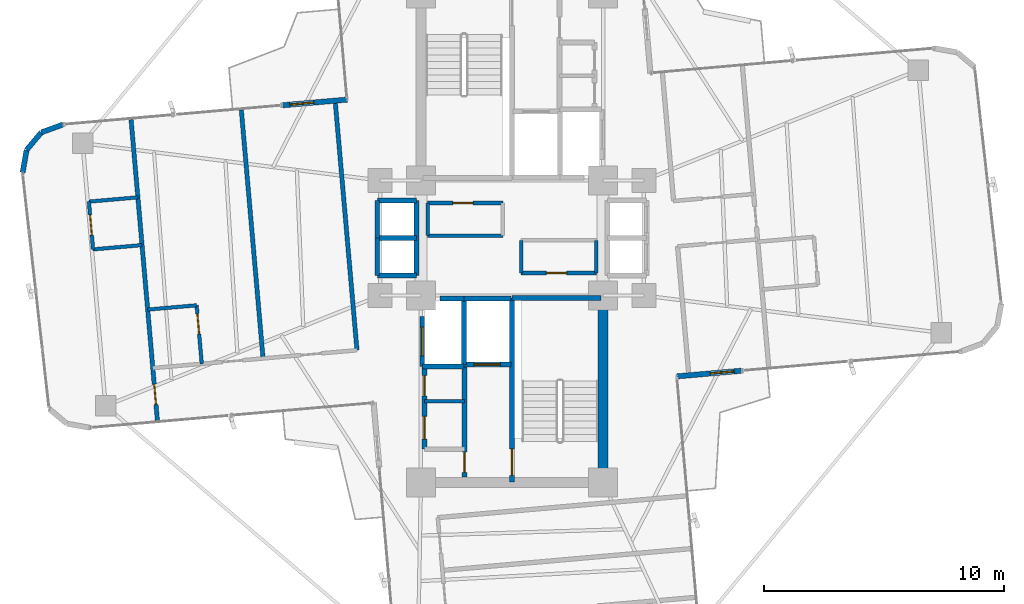
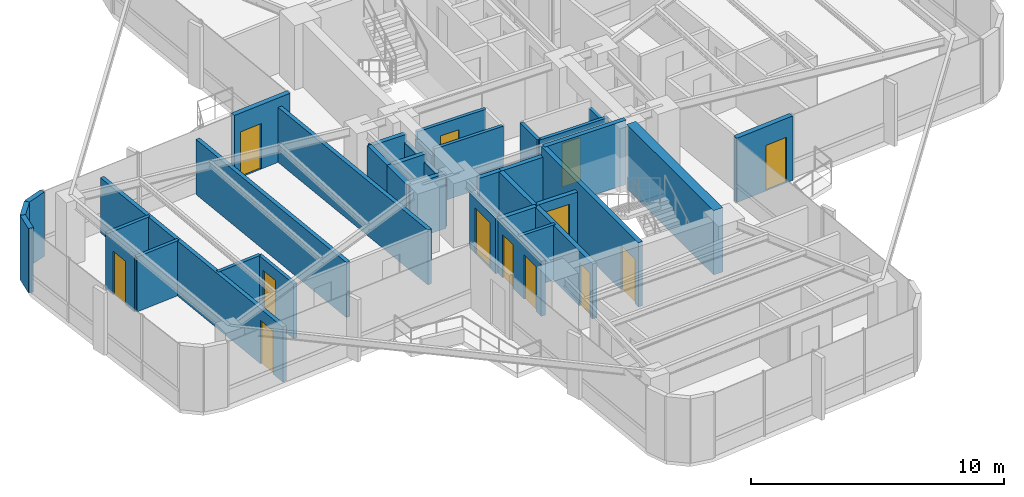
# One storey, part 21 of 24: 37 walls, 13 doors, 13 openings.
"""IFC4 building model written with IfcOpenShell, lengths in metres."""

from ifc_helpers import new_model, si_unit, direction, frame, frame_2d, origin, origin_2d, place, context, subcontext, project, spatial, rectangle, extrude, source, transform, mapped, material, layer, layer_set, type_object, element, fill, save


model = new_model("IFC4")

# Units and contexts
model_context = context("Model", 3, precision=1e-05, world=origin(), true_north=direction((0.0, 1.0)))
body_context = subcontext(model_context, "Body", "Model", "MODEL_VIEW")
ifc_project = project(units=[si_unit("LENGTHUNIT", "METRE"), si_unit("AREAUNIT", "SQUARE_METRE"), si_unit("VOLUMEUNIT", "CUBIC_METRE"), si_unit("PLANEANGLEUNIT", "RADIAN"), si_unit("MASSUNIT", "GRAM", prefix="KILO")], contexts=[model_context])

# Site, building, storey
site_placement = place(None, origin())
site = spatial("IfcSite", under=ifc_project, at=site_placement, CompositionType="ELEMENT")
building_placement = place(site_placement, origin())
building = spatial("IfcBuilding", under=site, at=building_placement, Name="Sahyath Konkavel Grand Hotel", CompositionType="ELEMENT")
storey_placement = place(building_placement, frame((0.0, 0.0, 195.300048828125)))
storey = spatial("IfcBuildingStorey", under=building, at=storey_placement, Name="L54", CompositionType="ELEMENT", Elevation=195.300048828125)

# Wall
ifc_material_1 = material(Name="Concrete C50/60", Category="concrete")
ifc_layer_1 = layer(ifc_material_1, 0.419921875)
ifc_layer_set_1 = layer_set([ifc_layer_1], Name="Concrete C50/60")
wall_type_1 = type_object("IfcWallType", Name="CWALL-420", PredefinedType="SHEAR", material=ifc_layer_set_1)
wall_1_placement = place(storey_placement, frame((3.800048828125, -9.75, 0.0), z_axis=(0.0, 0.0, 1.0), x_axis=(0.0, 1.0, 0.0)))
element("IfcWall", 1, at=wall_1_placement, inside=storey, type_object=wall_type_1, Name="L54 South Core Shear Wall E", PredefinedType="SHEAR", context=body_context, shape_type="SweptSolid", body=[
    extrude(rectangle(XDim=6.89990234375, YDim=0.419921875, at=frame_2d((3.449951171875, 0.0))), origin(), (0.0, 0.0, 1.0), 3.10986328125),
])

# Wall, opening, door
ifc_material_2 = material(Name="Warm Buff Sandstone Insulated Concrete C40/50", Category="masonry")
ifc_layer_2 = layer(ifc_material_2, 0.219970703125)
ifc_layer_set_2 = layer_set([ifc_layer_2], Name="Warm Buff Sandstone Insulated Concrete C40/50")
wall_type_2 = type_object("IfcWallType", Name="WLL-BALC-THRESH", PredefinedType="STANDARD", material=ifc_layer_set_2)
wall_2_placement = place(storey_placement, frame((6.87939453125, -5.7724609375, 0.0), z_axis=(0.0, 0.0, 1.0), x_axis=(0.996193619346, 0.087168071984, 0.0)))
wall_2 = element("IfcWall", 2, at=wall_2_placement, inside=storey, type_object=wall_type_2, Name="L54 Winter-Garden Threshold Wall 0", PredefinedType="STANDARD", context=body_context, shape_type="SweptSolid", body=[
    extrude(rectangle(XDim=2.699951171875, YDim=0.219970703125, at=frame_2d((1.35009765625, 0.0))), origin(), (0.0, 0.0, 1.0), 3.10986328125),
])
opening_1_placement = place(wall_2_placement, frame((1.39990234375, 0.0, 0.0)))
opening_1 = element("IfcOpeningElement", 3, at=opening_1_placement, cuts=wall_2, Name="Opening D-TR1", PredefinedType="OPENING", context=body_context, shape_type="SweptSolid", body=[
    extrude(rectangle(XDim=1.0, YDim=2.199951171875, at=frame_2d((0.5, 1.10009765625))), frame((0.0, 0.1201171875, 0.0), z_axis=(0.0, -1.0, 0.0), x_axis=(1.0, 0.0, 0.0)), (0.0, 0.0, 1.0), 0.239990234375),
])
ifc_material_3 = material(Name="Anodised Bronze Aluminium & Low-E Glazing", Category="aluminium")
door_type_1 = type_object("IfcDoorType", Name="DR-TERRACE-1000", OperationType="NOTDEFINED", PredefinedType="DOOR", material=ifc_material_3)
shared_shape_1 = source(origin(), body_context, "Body", "SweptSolid", [
    extrude(rectangle(XDim=1.0, YDim=0.050048828125, at=origin_2d()), origin(), (0.0, 0.0, 1.0), 2.199951171875),
])
door_1_placement = place(opening_1_placement, frame((0.5, 0.0, 0.0)))
door_1 = element("IfcDoor", 4, at=door_1_placement, inside=storey, type_object=door_type_1, Name="L54 Winter-Garden Terrace Door 0", OperationType="SINGLE_SWING_LEFT", OverallHeight=2.199951171875, OverallWidth=1.0, PredefinedType="DOOR", context=body_context, shape_type="MappedRepresentation", body=[
    mapped(shared_shape_1, transform((0.0, 0.0, 0.0), scale=1.0)),
])
fill(opening_1, door_1)

wall_3_placement = place(storey_placement, frame((-6.87939453125, 5.7724609375, 0.0), z_axis=(0.0, 0.0, 1.0), x_axis=(-0.996193619346, -0.087168071984, 0.0)))
wall_3 = element("IfcWall", 5, at=wall_3_placement, inside=storey, type_object=wall_type_2, Name="L54 Winter-Garden Threshold Wall 16", PredefinedType="STANDARD", context=body_context, shape_type="SweptSolid", body=[
    extrude(rectangle(XDim=2.699951171875, YDim=0.219970703125, at=frame_2d((1.35009765625, 0.0))), origin(), (0.0, 0.0, 1.0), 3.10986328125),
])
opening_2_placement = place(wall_3_placement, frame((1.39990234375, 0.0, 0.0)))
opening_2 = element("IfcOpeningElement", 6, at=opening_2_placement, cuts=wall_3, Name="Opening D-TR1", PredefinedType="OPENING", context=body_context, shape_type="SweptSolid", body=[
    extrude(rectangle(XDim=1.0, YDim=2.199951171875, at=frame_2d((0.5, 1.10009765625))), frame((0.0, 0.1201171875, 0.0), z_axis=(0.0, -1.0, 0.0), x_axis=(1.0, 0.0, 0.0)), (0.0, 0.0, 1.0), 0.239990234375),
])
door_2_placement = place(opening_2_placement, frame((0.5, 0.0, 0.0)))
door_2 = element("IfcDoor", 7, at=door_2_placement, inside=storey, type_object=door_type_1, Name="L54 Winter-Garden Terrace Door 16", OperationType="SINGLE_SWING_LEFT", OverallHeight=2.199951171875, OverallWidth=1.0, PredefinedType="DOOR", context=body_context, shape_type="MappedRepresentation", body=[
    mapped(shared_shape_1, transform((0.0, 0.0, 0.0), scale=1.0)),
])
fill(opening_2, door_2)

# Walls
wall_4_placement = place(storey_placement, frame((-18.73388671875, 4.735107421875, 0.0), z_axis=(0.0, 0.0, 1.0), x_axis=(-0.939741306239, -0.34188635151, 0.0)))
element("IfcWall", 8, at=wall_4_placement, inside=storey, type_object=wall_type_2, Name="L54 Rounded Corner Sandstone Pier 17", PredefinedType="STANDARD", context=body_context, shape_type="SweptSolid", body=[
    extrude(rectangle(XDim=0.95751953125, YDim=0.219970703125, at=frame_2d((0.478759765625, 0.0))), origin(), (0.0, 0.0, 1.0), 3.10986328125),
])
for number, where, z_axis, x_axis, name in (
    (9, (-19.6337890625, 4.40771484375, 0.0), (0.0, 0.0, 1.0), (-0.642863236823, -0.765980978054, 0.0), "L54 Rounded Corner Sandstone Pier 18"),
    (10, (-20.24951171875, 3.674072265625, 0.0), (0.0, 0.0, 1.0), (-0.173610811841, -0.984814340885, 0.0), "L54 Rounded Corner Sandstone Pier 19"),
):
    element("IfcWall", number, at=place(storey_placement, frame(where, z_axis=z_axis, x_axis=x_axis)), inside=storey, type_object=wall_type_2, Name=name, PredefinedType="STANDARD", context=body_context, shape_type="SweptSolid", body=[
        extrude(rectangle(XDim=0.957763671875, YDim=0.219970703125, at=frame_2d((0.47900390625, 0.0))), origin(), (0.0, 0.0, 1.0), 3.10986328125),
    ])

# Wall, opening, door
ifc_material_4 = material(Name="Concrete C40/50", Category="concrete")
ifc_layer_3 = layer(ifc_material_4, 0.199951171875)
ifc_layer_set_3 = layer_set([ifc_layer_3], Name="Concrete C40/50")
wall_type_3 = type_object("IfcWallType", Name="WLL-CORE-200", PredefinedType="SOLIDWALL", material=ifc_layer_set_3)
wall_5_placement = place(storey_placement, frame((0.0, -10.179931640625, 0.0), z_axis=(0.0, 0.0, 1.0), x_axis=(0.0, 1.0, 0.0)))
wall_5 = element("IfcWall", 11, at=wall_5_placement, inside=storey, type_object=wall_type_3, Name="L54 Stair ST-2 Shaft Wall W", PredefinedType="SOLIDWALL", context=body_context, shape_type="SweptSolid", body=[
    extrude(rectangle(XDim=7.679931640625, YDim=0.199951171875, at=frame_2d((3.83984375, 0.0))), origin(), (0.0, 0.0, 1.0), 3.10986328125),
])
opening_3_placement = place(wall_5_placement, frame((0.280029296875, 0.0, 0.0)))
opening_3 = element("IfcOpeningElement", 12, at=opening_3_placement, cuts=wall_5, Name="Opening D-F12B", PredefinedType="OPENING", context=body_context, shape_type="SweptSolid", body=[
    extrude(rectangle(XDim=1.10009765625, YDim=2.14990234375, at=frame_2d((0.550048828125, 1.074951171875))), frame((0.0, 0.10986328125, 0.0), z_axis=(0.0, -1.0, 0.0), x_axis=(1.0, 0.0, 0.0)), (0.0, 0.0, 1.0), 0.219970703125),
])
ifc_material_5 = material(Name="Steel E350 Smokeproof Fire Door", Category="steel")
door_type_2 = type_object("IfcDoorType", Name="DR-FD120-1100", OperationType="NOTDEFINED", PredefinedType="DOOR", material=ifc_material_5)
shared_shape_2 = source(origin(), body_context, "Body", "SweptSolid", [
    extrude(rectangle(XDim=1.10009765625, YDim=0.050048828125, at=origin_2d()), origin(), (0.0, 0.0, 1.0), 2.14990234375),
])
door_3_placement = place(opening_3_placement, frame((0.550048828125, 0.0, 0.0)))
door_3 = element("IfcDoor", 13, at=door_3_placement, inside=storey, type_object=door_type_2, Name="L54 Stair ST-2 Fire Door", OperationType="SINGLE_SWING_LEFT", OverallHeight=2.14990234375, OverallWidth=1.10009765625, PredefinedType="DOOR", context=body_context, shape_type="MappedRepresentation", body=[
    mapped(shared_shape_2, transform((0.0, 0.0, 0.0), scale=1.0)),
])
fill(opening_3, door_3)

# Wall
wall_6_placement = place(storey_placement, frame((0.0, -2.5, 0.0), z_axis=(0.0, 0.0, 1.0), x_axis=(1.0, 0.0, 0.0)))
element("IfcWall", 14, at=wall_6_placement, inside=storey, type_object=wall_type_3, Name="L54 Stair ST-2 Shaft Wall N", PredefinedType="SOLIDWALL", context=body_context, shape_type="SweptSolid", body=[
    extrude(rectangle(XDim=3.719970703125, YDim=0.199951171875, at=frame_2d((1.85986328125, 0.0))), origin(), (0.0, 0.0, 1.0), 3.10986328125),
])

# Wall, opening, door
wall_7_placement = place(storey_placement, frame((-1.97998046875, -9.97998046875, 0.0), z_axis=(0.0, 0.0, 1.0), x_axis=(0.0, 1.0, 0.0)))
wall_7 = element("IfcWall", 15, at=wall_7_placement, inside=storey, type_object=wall_type_3, Name="L54 South Firefighting Lobby Wall W", PredefinedType="SOLIDWALL", context=body_context, shape_type="SweptSolid", body=[
    extrude(rectangle(XDim=4.659912109375, YDim=0.199951171875, at=frame_2d((2.330078125, 0.0))), origin(), (0.0, 0.0, 1.0), 2.659912109375),
])
opening_4_placement = place(wall_7_placement, frame((0.199951171875, 0.0, 0.0)))
opening_4 = element("IfcOpeningElement", 16, at=opening_4_placement, cuts=wall_7, Name="Opening D-F12D", PredefinedType="OPENING", context=body_context, shape_type="SweptSolid", body=[
    extrude(rectangle(XDim=0.85009765625, YDim=2.10009765625, at=frame_2d((0.425048828125, 1.050048828125))), frame((0.0, 0.10986328125, 0.0), z_axis=(0.0, -1.0, 0.0), x_axis=(1.0, 0.0, 0.0)), (0.0, 0.0, 1.0), 0.219970703125),
])
ifc_material_6 = material(Name="Steel E350 Core Fire Door", Category="steel")
door_type_3 = type_object("IfcDoorType", Name="DR-FD120-850", OperationType="NOTDEFINED", PredefinedType="DOOR", material=ifc_material_6)
shared_shape_3 = source(origin(), body_context, "Body", "SweptSolid", [
    extrude(rectangle(XDim=0.85009765625, YDim=0.050048828125, at=origin_2d()), origin(), (0.0, 0.0, 1.0), 2.10009765625),
])
door_4_placement = place(opening_4_placement, frame((0.425048828125, 0.0, 0.0)))
door_4 = element("IfcDoor", 17, at=door_4_placement, inside=storey, type_object=door_type_3, Name="L54 South Firefighting Lobby Door", OperationType="SINGLE_SWING_LEFT", OverallHeight=2.10009765625, OverallWidth=0.85009765625, PredefinedType="DOOR", context=body_context, shape_type="MappedRepresentation", body=[
    mapped(shared_shape_3, transform((0.0, 0.0, 0.0), scale=1.0)),
])
fill(opening_4, door_4)

# Walls
wall_8_placement = place(storey_placement, frame((-2.0, -5.280029296875, 0.0), z_axis=(0.0, 0.0, 1.0), x_axis=(0.0, 1.0, 0.0)))
element("IfcWall", 18, at=wall_8_placement, inside=storey, type_object=wall_type_3, Name="L54 Partition SH-FFL2-W", PredefinedType="SOLIDWALL", context=body_context, shape_type="SweptSolid", body=[
    extrude(rectangle(XDim=2.780029296875, YDim=0.199951171875, at=frame_2d((1.39013671875, 0.0))), origin(), (0.0, 0.0, 1.0), 2.659912109375),
])
wall_9_placement = place(storey_placement, frame((-2.0, -2.52001953125, 0.0), z_axis=(0.0, 0.0, 1.0), x_axis=(1.0, 0.0, 0.0)))
element("IfcWall", 19, at=wall_9_placement, inside=storey, type_object=wall_type_3, Name="L54 Partition SH-FFL2-N", PredefinedType="SOLIDWALL", context=body_context, shape_type="SweptSolid", body=[
    extrude(rectangle(XDim=1.949951171875, YDim=0.199951171875, at=frame_2d((0.97509765625, 0.0))), origin(), (0.0, 0.0, 1.0), 2.659912109375),
])

# Wall, opening, door
wall_10_placement = place(storey_placement, frame((-1.97998046875, -5.280029296875, 0.0), z_axis=(0.0, 0.0, 1.0), x_axis=(1.0, 0.0, 0.0)))
wall_10 = element("IfcWall", 20, at=wall_10_placement, inside=storey, type_object=wall_type_3, Name="L54 Partition SH-FFL2-S", PredefinedType="SOLIDWALL", context=body_context, shape_type="SweptSolid", body=[
    extrude(rectangle(XDim=1.929931640625, YDim=0.199951171875, at=frame_2d((0.96484375, 0.0))), origin(), (0.0, 0.0, 1.0), 2.659912109375),
])
opening_5_placement = place(wall_10_placement, frame((0.39990234375, 0.0, 0.0)))
opening_5 = element("IfcOpeningElement", 21, at=opening_5_placement, cuts=wall_10, Name="Opening LD-11", PredefinedType="OPENING", context=body_context, shape_type="SweptSolid", body=[
    extrude(rectangle(XDim=1.10009765625, YDim=2.199951171875, at=frame_2d((0.550048828125, 1.10009765625))), frame((0.0, 0.10986328125, 0.0), z_axis=(0.0, -1.0, 0.0), x_axis=(1.0, 0.0, 0.0)), (0.0, 0.0, 1.0), 0.219970703125),
])
ifc_material_7 = material(Name="Bronze Lift Landing Door 1100")
door_type_4 = type_object("IfcDoorType", Name="DR-LIFT-1100", OperationType="DOUBLE_DOOR_SLIDING", PredefinedType="DOOR", material=ifc_material_7)
shared_shape_4 = source(origin(), body_context, "Body", "SweptSolid", [
    extrude(rectangle(XDim=1.10009765625, YDim=0.050048828125, at=origin_2d()), origin(), (0.0, 0.0, 1.0), 2.199951171875),
])
door_5_placement = place(opening_5_placement, frame((0.550048828125, 0.0, 0.0)))
door_5 = element("IfcDoor", 22, at=door_5_placement, inside=storey, type_object=door_type_4, Name="L54 Lift FFL-2 Landing Door", OperationType="DOUBLE_DOOR_SLIDING", OverallHeight=2.199951171875, OverallWidth=1.10009765625, PredefinedType="DOOR", context=body_context, shape_type="MappedRepresentation", body=[
    mapped(shared_shape_4, transform((0.0, 0.0, 0.0), scale=1.0)),
])
fill(opening_5, door_5)

# Walls
wall_11_placement = place(storey_placement, frame((-3.0, -2.52001953125, 0.0), z_axis=(0.0, 0.0, 1.0), x_axis=(1.0, 0.0, 0.0)))
element("IfcWall", 23, at=wall_11_placement, inside=storey, type_object=wall_type_3, Name="L54 Partition SH-SVL2-N", PredefinedType="SOLIDWALL", context=body_context, shape_type="SweptSolid", body=[
    extrude(rectangle(XDim=1.0, YDim=0.199951171875, at=frame_2d((0.5, 0.0))), origin(), (0.0, 0.0, 1.0), 2.659912109375),
])
wall_12_placement = place(storey_placement, frame((-3.739990234375, -5.360107421875, 0.0), z_axis=(0.0, 0.0, 1.0), x_axis=(1.0, 0.0, 0.0)))
element("IfcWall", 24, at=wall_12_placement, inside=storey, type_object=wall_type_3, Name="L54 Partition SH-SVL2-S", PredefinedType="SOLIDWALL", context=body_context, shape_type="SweptSolid", body=[
    extrude(rectangle(XDim=1.739990234375, YDim=0.199951171875, at=frame_2d((0.8701171875, 0.0))), origin(), (0.0, 0.0, 1.0), 2.659912109375),
])

# Wall, opening, door
wall_13_placement = place(storey_placement, frame((-3.739990234375, -5.360107421875, 0.0), z_axis=(0.0, 0.0, 1.0), x_axis=(0.0, 1.0, 0.0)))
wall_13 = element("IfcWall", 25, at=wall_13_placement, inside=storey, type_object=wall_type_3, Name="L54 Partition SH-SVL2-W", PredefinedType="SOLIDWALL", context=body_context, shape_type="SweptSolid", body=[
    extrude(rectangle(XDim=2.080078125, YDim=0.199951171875, at=frame_2d((1.0400390625, 0.0))), origin(), (0.0, 0.0, 1.0), 2.659912109375),
])
opening_6_placement = place(wall_13_placement, frame((0.43994140625, 0.0, 0.0)))
opening_6 = element("IfcOpeningElement", 26, at=opening_6_placement, cuts=wall_13, Name="Opening LD-12", PredefinedType="OPENING", context=body_context, shape_type="SweptSolid", body=[
    extrude(rectangle(XDim=1.199951171875, YDim=2.199951171875, at=frame_2d((0.60009765625, 1.10009765625))), frame((0.0, 0.10986328125, 0.0), z_axis=(0.0, -1.0, 0.0), x_axis=(1.0, 0.0, 0.0)), (0.0, 0.0, 1.0), 0.219970703125),
])
ifc_material_8 = material(Name="Stainless Steel Lift Landing Door 1200", Category="steel")
door_type_5 = type_object("IfcDoorType", Name="DR-LIFT-1200", OperationType="DOUBLE_DOOR_SLIDING", PredefinedType="DOOR", material=ifc_material_8)
shared_shape_5 = source(origin(), body_context, "Body", "SweptSolid", [
    extrude(rectangle(XDim=1.199951171875, YDim=0.050048828125, at=origin_2d()), origin(), (0.0, 0.0, 1.0), 2.199951171875),
])
door_6_placement = place(opening_6_placement, frame((0.60009765625, 0.0, 0.0)))
door_6 = element("IfcDoor", 27, at=door_6_placement, inside=storey, type_object=door_type_5, Name="L54 Service Lift SVL-2 Landing Door", OperationType="DOUBLE_DOOR_SLIDING", OverallHeight=2.199951171875, OverallWidth=1.199951171875, PredefinedType="DOOR", context=body_context, shape_type="MappedRepresentation", body=[
    mapped(shared_shape_5, transform((0.0, 0.0, 0.0), scale=1.0)),
])
fill(opening_6, door_6)

# Walls
wall_14_placement = place(storey_placement, frame((-3.97998046875, -1.56005859375, 0.0), z_axis=(0.0, 0.0, 1.0), x_axis=(0.0, 1.0, 0.0)))
element("IfcWall", 28, at=wall_14_placement, inside=storey, type_object=wall_type_3, Name="L54 Partition SH-SL12-E", PredefinedType="SOLIDWALL", context=body_context, shape_type="SweptSolid", body=[
    extrude(rectangle(XDim=3.1201171875, YDim=0.199951171875, at=frame_2d((1.56005859375, 0.0))), origin(), (0.0, 0.0, 1.0), 2.280029296875),
])
for number, where, z_axis, x_axis, name in (
    (29, (-5.6201171875, 1.56005859375, 0.0), (0.0, 0.0, 1.0), (1.0, 0.0, 0.0), "L54 Partition SH-SL12-N"),
    (30, (-5.6201171875, -1.56005859375, 0.0), (0.0, 0.0, 1.0), (1.0, 0.0, 0.0), "L54 Partition SH-SL12-S"),
    (31, (-5.6201171875, 0.0, 0.0), (0.0, 0.0, 1.0), (1.0, 0.0, 0.0), "L54 Partition SH-SL12-M"),
):
    element("IfcWall", number, at=place(storey_placement, frame(where, z_axis=z_axis, x_axis=x_axis)), inside=storey, type_object=wall_type_3, Name=name, PredefinedType="SOLIDWALL", context=body_context, shape_type="SweptSolid", body=[
        extrude(rectangle(XDim=1.64013671875, YDim=0.199951171875, at=frame_2d((0.820068359375, 0.0))), origin(), (0.0, 0.0, 1.0), 2.659912109375),
    ])
for number, where, z_axis, x_axis, name in (
    (32, (-5.6201171875, 0.0, 0.0), (0.0, 0.0, 1.0), (0.0, 1.0, 0.0), "L54 Partition SH-SL1-W"),
    (33, (-5.6201171875, -1.56005859375, 0.0), (0.0, 0.0, 1.0), (0.0, 1.0, 0.0), "L54 Partition SH-SL2-W"),
):
    element("IfcWall", number, at=place(storey_placement, frame(where, z_axis=z_axis, x_axis=x_axis)), inside=storey, type_object=wall_type_3, Name=name, PredefinedType="SOLIDWALL", context=body_context, shape_type="SweptSolid", body=[
        extrude(rectangle(XDim=1.56005859375, YDim=0.199951171875, at=frame_2d((0.780029296875, 0.0))), origin(), (0.0, 0.0, 1.0), 2.659912109375),
    ])

# Wall, openings, doors
wall_15_placement = place(storey_placement, frame((-3.64990234375, -8.81005859375, 0.0), z_axis=(0.0, 0.0, 1.0), x_axis=(0.0, 1.0, 0.0)))
wall_15 = element("IfcWall", 34, at=wall_15_placement, inside=storey, type_object=wall_type_3, Name="L54 Reclaimed South Core Wall W", PredefinedType="SOLIDWALL", context=body_context, shape_type="SweptSolid", body=[
    extrude(rectangle(XDim=3.43017578125, YDim=0.199951171875, at=frame_2d((1.715087890625, 0.0))), origin(), (0.0, 0.0, 1.0), 2.659912109375),
])
opening_7_placement = place(wall_15_placement, frame((0.419921875, 0.0, 0.0)))
opening_7 = element("IfcOpeningElement", 35, at=opening_7_placement, cuts=wall_15, Name="Opening D-AC95", PredefinedType="OPENING", context=body_context, shape_type="SweptSolid", body=[
    extrude(rectangle(XDim=0.949951171875, YDim=2.14990234375, at=frame_2d((0.47509765625, 1.074951171875))), frame((0.0, 0.10986328125, 0.0), z_axis=(0.0, -1.0, 0.0), x_axis=(1.0, 0.0, 0.0)), (0.0, 0.0, 1.0), 0.219970703125),
])
opening_8_placement = place(wall_15_placement, frame((2.219970703125, 0.0, 0.0)))
opening_8 = element("IfcOpeningElement", 36, at=opening_8_placement, cuts=wall_15, Name="Opening D-F06D", PredefinedType="OPENING", context=body_context, shape_type="SweptSolid", body=[
    extrude(rectangle(XDim=0.85009765625, YDim=2.10009765625, at=frame_2d((0.425048828125, 1.050048828125))), frame((0.0, 0.10986328125, 0.0), z_axis=(0.0, -1.0, 0.0), x_axis=(1.0, 0.0, 0.0)), (0.0, 0.0, 1.0), 0.219970703125),
])
ifc_material_9 = material(Name="Accessible Washroom Timber Door", Category="wood")
door_type_6 = type_object("IfcDoorType", Name="DR-ACC-950", OperationType="NOTDEFINED", PredefinedType="DOOR", material=ifc_material_9)
shared_shape_6 = source(origin(), body_context, "Body", "SweptSolid", [
    extrude(rectangle(XDim=0.949951171875, YDim=0.050048828125, at=origin_2d()), origin(), (0.0, 0.0, 1.0), 2.14990234375),
])
door_7_placement = place(opening_7_placement, frame((0.47509765625, 0.0, 0.0)))
door_7 = element("IfcDoor", 37, at=door_7_placement, inside=storey, type_object=door_type_6, Name="L54 Door SC-REC1-D", OperationType="SINGLE_SWING_RIGHT", OverallHeight=2.14990234375, OverallWidth=0.949951171875, PredefinedType="DOOR", context=body_context, shape_type="MappedRepresentation", body=[
    mapped(shared_shape_6, transform((0.0, 0.0, 0.0), scale=1.0)),
])
fill(opening_7, door_7)
ifc_material_10 = material(Name="Fire-Rated Shaft Access Door")
door_type_7 = type_object("IfcDoorType", Name="DR-FD60-850", OperationType="NOTDEFINED", PredefinedType="DOOR", material=ifc_material_10)
door_8_placement = place(opening_8_placement, frame((0.425048828125, 0.0, 0.0)))
door_8 = element("IfcDoor", 38, at=door_8_placement, inside=storey, type_object=door_type_7, Name="L54 Door SC-REC2-D", OperationType="SINGLE_SWING_LEFT", OverallHeight=2.10009765625, OverallWidth=0.85009765625, PredefinedType="DOOR", context=body_context, shape_type="MappedRepresentation", body=[
    mapped(shared_shape_3, transform((0.0, 0.0, 0.0), scale=1.0)),
])
fill(opening_8, door_8)

# Walls
ifc_material_11 = material(Name="Twin-Stud Acoustic Gypsum Plasterboard Partition")
ifc_layer_4 = layer(ifc_material_11, 0.179931640625)
ifc_layer_set_4 = layer_set([ifc_layer_4], Name="Twin-Stud Acoustic Gypsum Plasterboard Partition")
wall_type_4 = type_object("IfcWallType", Name="WLL-DEMISE-180", PredefinedType="PARTITIONING", material=ifc_layer_set_4)
for number, where, z_axis, x_axis, name in (
    (39, (-7.373046875, 5.678955078125, 0.0), (0.0, 0.0, 1.0), (0.087163455754, -0.996194023261, 0.0), "L54 Partition W-G5I"),
    (40, (-10.384521484375, -5.024169921875, 0.0), (0.0, 0.0, 1.0), (-0.087163455754, 0.996194023261, 0.0), "L54 Partition W-WD1-DEM"),
):
    element("IfcWall", number, at=place(storey_placement, frame(where, z_axis=z_axis, x_axis=x_axis)), inside=storey, type_object=wall_type_4, Name=name, PredefinedType="PARTITIONING", context=body_context, shape_type="SweptSolid", body=[
        extrude(rectangle(XDim=10.39990234375, YDim=0.179931640625, at=frame_2d((5.199951171875, 0.0))), origin(), (0.0, 0.0, 1.0), 2.659912109375),
    ])

# Wall, opening, door
wall_16_placement = place(storey_placement, frame((-15.890380859375, 4.933837890625, 0.0), z_axis=(0.0, 0.0, 1.0), x_axis=(0.087154691724, -0.996194790044, 0.0)))
wall_16 = element("IfcWall", 41, at=wall_16_placement, inside=storey, type_object=wall_type_4, Name="L54 Partition W-WTIP-END", PredefinedType="PARTITIONING", context=body_context, shape_type="SweptSolid", body=[
    extrude(rectangle(XDim=12.599853515625, YDim=0.179931640625, at=frame_2d((6.2998046875, 0.0))), origin(), (0.0, 0.0, 1.0), 2.659912109375),
])
opening_9_placement = place(wall_16_placement, frame((11.074951171875, 0.0, 0.0)))
opening_9 = element("IfcOpeningElement", 42, at=opening_9_placement, cuts=wall_16, Name="Opening D-F06D", PredefinedType="OPENING", context=body_context, shape_type="SweptSolid", body=[
    extrude(rectangle(XDim=0.85009765625, YDim=2.10009765625, at=frame_2d((0.425048828125, 1.050048828125))), frame((0.0, 0.10009765625, 0.0), z_axis=(0.0, -1.0, 0.0), x_axis=(1.0, 0.0, 0.0)), (0.0, 0.0, 1.0), 0.199951171875),
])
door_9_placement = place(opening_9_placement, frame((0.425048828125, 0.0, 0.0)))
door_9 = element("IfcDoor", 43, at=door_9_placement, inside=storey, type_object=door_type_7, Name="L54 Door W-WTIP-ED", OperationType="SINGLE_SWING_RIGHT", OverallHeight=2.10009765625, OverallWidth=0.85009765625, PredefinedType="DOOR", context=body_context, shape_type="MappedRepresentation", body=[
    mapped(shared_shape_3, transform((0.0, 0.0, 0.0), scale=1.0)),
])
fill(opening_9, door_9)

# Walls
ifc_material_12 = material(Name="Fire-Rated Gypsum Plasterboard Partition")
ifc_layer_5 = layer(ifc_material_12, 0.14990234375)
ifc_layer_set_5 = layer_set([ifc_layer_5], Name="Fire-Rated Gypsum Plasterboard Partition")
wall_type_5 = type_object("IfcWallType", Name="WLL-PART-150", PredefinedType="PARTITIONING", material=ifc_layer_set_5)
wall_17_placement = place(storey_placement, frame((-3.64990234375, -6.81005859375, 0.0), z_axis=(0.0, 0.0, 1.0), x_axis=(1.0, 0.0, 0.0)))
element("IfcWall", 44, at=wall_17_placement, inside=storey, type_object=wall_type_5, Name="L54 Partition SC-REC-M1", PredefinedType="PARTITIONING", context=body_context, shape_type="SweptSolid", body=[
    extrude(rectangle(XDim=1.669921875, YDim=0.14990234375, at=frame_2d((0.8349609375, 0.0))), origin(), (0.0, 0.0, 1.0), 2.659912109375),
])
wall_18_placement = place(storey_placement, frame((-3.52001953125, 0.10009765625, 0.0), z_axis=(0.0, 0.0, 1.0), x_axis=(1.0, 0.0, 0.0)))
element("IfcWall", 45, at=wall_18_placement, inside=storey, type_object=wall_type_5, Name="L54 Partition CC-3NWS", PredefinedType="PARTITIONING", context=body_context, shape_type="SweptSolid", body=[
    extrude(rectangle(XDim=3.14013671875, YDim=0.14990234375, at=frame_2d((1.570068359375, 0.0))), origin(), (0.0, 0.0, 1.0), 2.659912109375),
])

# Wall, opening, door
wall_19_placement = place(storey_placement, frame((-3.52001953125, 1.4599609375, 0.0), z_axis=(0.0, 0.0, 1.0), x_axis=(1.0, 0.0, 0.0)))
wall_19 = element("IfcWall", 46, at=wall_19_placement, inside=storey, type_object=wall_type_5, Name="L54 Partition CC-3NWN", PredefinedType="PARTITIONING", context=body_context, shape_type="SweptSolid", body=[
    extrude(rectangle(XDim=3.14013671875, YDim=0.14990234375, at=frame_2d((1.570068359375, 0.0))), origin(), (0.0, 0.0, 1.0), 2.659912109375),
])
opening_10_placement = place(wall_19_placement, frame((1.050048828125, 0.0, 0.0)))
opening_10 = element("IfcOpeningElement", 47, at=opening_10_placement, cuts=wall_19, Name="Opening D-F06D", PredefinedType="OPENING", context=body_context, shape_type="SweptSolid", body=[
    extrude(rectangle(XDim=0.85009765625, YDim=2.10009765625, at=frame_2d((0.425048828125, 1.050048828125))), frame((0.0, 0.0849609375, 0.0), z_axis=(0.0, -1.0, 0.0), x_axis=(1.0, 0.0, 0.0)), (0.0, 0.0, 1.0), 0.169921875),
])
door_10_placement = place(opening_10_placement, frame((0.425048828125, 0.0, 0.0)))
door_10 = element("IfcDoor", 48, at=door_10_placement, inside=storey, type_object=door_type_7, Name="L54 Door CC-D3NW", OperationType="SINGLE_SWING_RIGHT", OverallHeight=2.10009765625, OverallWidth=0.85009765625, PredefinedType="DOOR", context=body_context, shape_type="MappedRepresentation", body=[
    mapped(shared_shape_3, transform((0.0, 0.0, 0.0), scale=1.0)),
])
fill(opening_10, door_10)

# Wall
wall_20_placement = place(storey_placement, frame((-3.52001953125, 0.10009765625, 0.0), z_axis=(0.0, 0.0, 1.0), x_axis=(0.0, 1.0, 0.0)))
element("IfcWall", 49, at=wall_20_placement, inside=storey, type_object=wall_type_5, Name="L54 Partition CC-3NWW", PredefinedType="PARTITIONING", context=body_context, shape_type="SweptSolid", body=[
    extrude(rectangle(XDim=1.35986328125, YDim=0.14990234375, at=frame_2d((0.679931640625, 0.0))), origin(), (0.0, 0.0, 1.0), 2.280029296875),
])

# Wall, opening, door
wall_21_placement = place(storey_placement, frame((0.3798828125, -1.4599609375, 0.0), z_axis=(0.0, 0.0, 1.0), x_axis=(1.0, 0.0, 0.0)))
wall_21 = element("IfcWall", 50, at=wall_21_placement, inside=storey, type_object=wall_type_5, Name="L54 Partition CC-3SES", PredefinedType="PARTITIONING", context=body_context, shape_type="SweptSolid", body=[
    extrude(rectangle(XDim=3.14013671875, YDim=0.14990234375, at=frame_2d((1.570068359375, 0.0))), origin(), (0.0, 0.0, 1.0), 2.659912109375),
])
opening_11_placement = place(wall_21_placement, frame((1.050048828125, 0.0, 0.0)))
opening_11 = element("IfcOpeningElement", 51, at=opening_11_placement, cuts=wall_21, Name="Opening D-F06D", PredefinedType="OPENING", context=body_context, shape_type="SweptSolid", body=[
    extrude(rectangle(XDim=0.85009765625, YDim=2.10009765625, at=frame_2d((0.425048828125, 1.050048828125))), frame((0.0, 0.0849609375, 0.0), z_axis=(0.0, -1.0, 0.0), x_axis=(1.0, 0.0, 0.0)), (0.0, 0.0, 1.0), 0.169921875),
])
door_11_placement = place(opening_11_placement, frame((0.425048828125, 0.0, 0.0)))
door_11 = element("IfcDoor", 52, at=door_11_placement, inside=storey, type_object=door_type_7, Name="L54 Door CC-D3SE", OperationType="SINGLE_SWING_LEFT", OverallHeight=2.10009765625, OverallWidth=0.85009765625, PredefinedType="DOOR", context=body_context, shape_type="MappedRepresentation", body=[
    mapped(shared_shape_3, transform((0.0, 0.0, 0.0), scale=1.0)),
])
fill(opening_11, door_11)

# Walls
wall_22_placement = place(storey_placement, frame((0.3798828125, -1.4599609375, 0.0), z_axis=(0.0, 0.0, 1.0), x_axis=(0.0, 1.0, 0.0)))
element("IfcWall", 53, at=wall_22_placement, inside=storey, type_object=wall_type_5, Name="L54 Partition CC-3SEW", PredefinedType="PARTITIONING", context=body_context, shape_type="SweptSolid", body=[
    extrude(rectangle(XDim=1.35986328125, YDim=0.14990234375, at=frame_2d((0.679931640625, 0.0))), origin(), (0.0, 0.0, 1.0), 2.659912109375),
])
wall_23_placement = place(storey_placement, frame((3.52001953125, -1.4599609375, 0.0), z_axis=(0.0, 0.0, 1.0), x_axis=(0.0, 1.0, 0.0)))
element("IfcWall", 54, at=wall_23_placement, inside=storey, type_object=wall_type_5, Name="L54 Partition CC-3SEE", PredefinedType="PARTITIONING", context=body_context, shape_type="SweptSolid", body=[
    extrude(rectangle(XDim=1.35986328125, YDim=0.14990234375, at=frame_2d((0.679931640625, 0.0))), origin(), (0.0, 0.0, 1.0), 2.280029296875),
])

# Wall, opening, door
wall_24_placement = place(storey_placement, frame((-12.94189453125, -5.247802734375, 0.0), z_axis=(0.0, 0.0, 1.0), x_axis=(-0.087201565829, 0.99619068803, 0.0)))
wall_24 = element("IfcWall", 55, at=wall_24_placement, inside=storey, type_object=wall_type_5, Name="L54 Partition W-WD2-BS", PredefinedType="PARTITIONING", context=body_context, shape_type="SweptSolid", body=[
    extrude(rectangle(XDim=2.44970703125, YDim=0.14990234375, at=frame_2d((1.224853515625, 0.0))), origin(), (0.0, 0.0, 1.0), 2.659912109375),
])
opening_12_placement = place(wall_24_placement, frame((1.25, 0.0, 0.0)))
opening_12 = element("IfcOpeningElement", 56, at=opening_12_placement, cuts=wall_24, Name="Opening D-BT85", PredefinedType="OPENING", context=body_context, shape_type="SweptSolid", body=[
    extrude(rectangle(XDim=0.85009765625, YDim=2.10009765625, at=frame_2d((0.425048828125, 1.050048828125))), frame((0.0, 0.0849609375, 0.0), z_axis=(0.0, -1.0, 0.0), x_axis=(1.0, 0.0, 0.0)), (0.0, 0.0, 1.0), 0.169921875),
])
ifc_material_13 = material(Name="Moisture-Resistant Teak Bathroom Door")
door_type_8 = type_object("IfcDoorType", Name="DR-BATH-850", OperationType="NOTDEFINED", PredefinedType="DOOR", material=ifc_material_13)
door_12_placement = place(opening_12_placement, frame((0.425048828125, 0.0, 0.0)))
door_12 = element("IfcDoor", 57, at=door_12_placement, inside=storey, type_object=door_type_8, Name="L54 Door W-WD2-BD", OperationType="SINGLE_SWING_LEFT", OverallHeight=2.10009765625, OverallWidth=0.85009765625, PredefinedType="DOOR", context=body_context, shape_type="MappedRepresentation", body=[
    mapped(shared_shape_3, transform((0.0, 0.0, 0.0), scale=1.0)),
])
fill(opening_12, door_12)

# Walls
wall_25_placement = place(storey_placement, frame((-13.155517578125, -2.807373046875, 0.0), z_axis=(0.0, 0.0, 1.0), x_axis=(-0.99620250363, -0.087066478976, 0.0)))
element("IfcWall", 58, at=wall_25_placement, inside=storey, type_object=wall_type_5, Name="L54 Partition W-WD2-BF", PredefinedType="PARTITIONING", context=body_context, shape_type="SweptSolid", body=[
    extrude(rectangle(XDim=2.0498046875, YDim=0.14990234375, at=frame_2d((1.02490234375, 0.0))), origin(), (0.0, 0.0, 1.0), 2.659912109375),
])
for number, where, z_axis, x_axis, name in (
    (59, (-15.432861328125, -0.296142578125, 0.0), (0.0, 0.0, 1.0), (-0.99619307114, -0.087174336889, 0.0), "L54 Partition W-WTIP-BN"),
    (60, (-15.607177734375, 1.6962890625, 0.0), (0.0, 0.0, 1.0), (-0.99619307114, -0.087174336889, 0.0), "L54 Partition W-WTIP-BS"),
):
    element("IfcWall", number, at=place(storey_placement, frame(where, z_axis=z_axis, x_axis=x_axis)), inside=storey, type_object=wall_type_5, Name=name, PredefinedType="PARTITIONING", context=body_context, shape_type="SweptSolid", body=[
        extrude(rectangle(XDim=2.050048828125, YDim=0.14990234375, at=frame_2d((1.02490234375, 0.0))), origin(), (0.0, 0.0, 1.0), 2.659912109375),
    ])

# Wall, opening, door
wall_26_placement = place(storey_placement, frame((-17.6494140625, 1.517578125, 0.0), z_axis=(0.0, 0.0, 1.0), x_axis=(0.087156350505, -0.99619464492, 0.0)))
wall_26 = element("IfcWall", 61, at=wall_26_placement, inside=storey, type_object=wall_type_5, Name="L54 Partition W-WTIP-BE", PredefinedType="PARTITIONING", context=body_context, shape_type="SweptSolid", body=[
    extrude(rectangle(XDim=2.0, YDim=0.14990234375, at=frame_2d((1.0, 0.0))), origin(), (0.0, 0.0, 1.0), 2.6298828125),
])
opening_13_placement = place(wall_26_placement, frame((0.550048828125, 0.0, 0.0)))
opening_13 = element("IfcOpeningElement", 62, at=opening_13_placement, cuts=wall_26, Name="Opening D-BT85", PredefinedType="OPENING", context=body_context, shape_type="SweptSolid", body=[
    extrude(rectangle(XDim=0.85009765625, YDim=2.10009765625, at=frame_2d((0.425048828125, 1.050048828125))), frame((0.0, 0.0849609375, 0.0), z_axis=(0.0, -1.0, 0.0), x_axis=(1.0, 0.0, 0.0)), (0.0, 0.0, 1.0), 0.169921875),
])
door_13_placement = place(opening_13_placement, frame((0.425048828125, 0.0, 0.0)))
door_13 = element("IfcDoor", 63, at=door_13_placement, inside=storey, type_object=door_type_8, Name="L54 Door W-WTIP-BD", OperationType="SINGLE_SWING_LEFT", OverallHeight=2.10009765625, OverallWidth=0.85009765625, PredefinedType="DOOR", context=body_context, shape_type="MappedRepresentation", body=[
    mapped(shared_shape_3, transform((0.0, 0.0, 0.0), scale=1.0)),
])
fill(opening_13, door_13)

save(model, "model.ifc")
